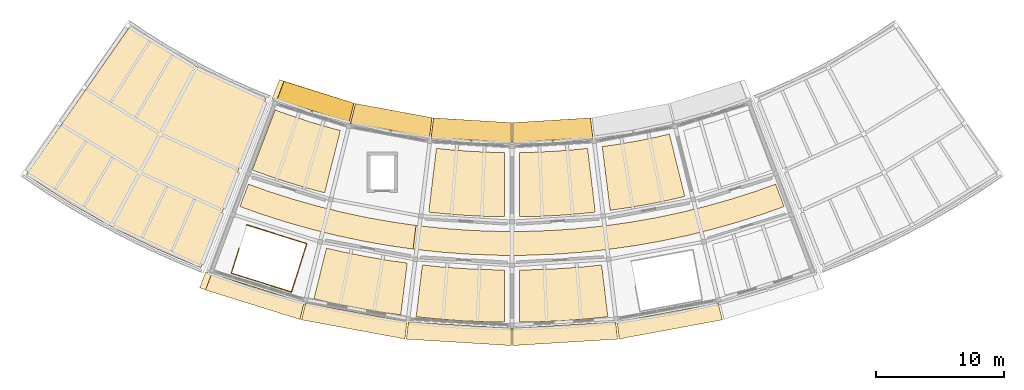
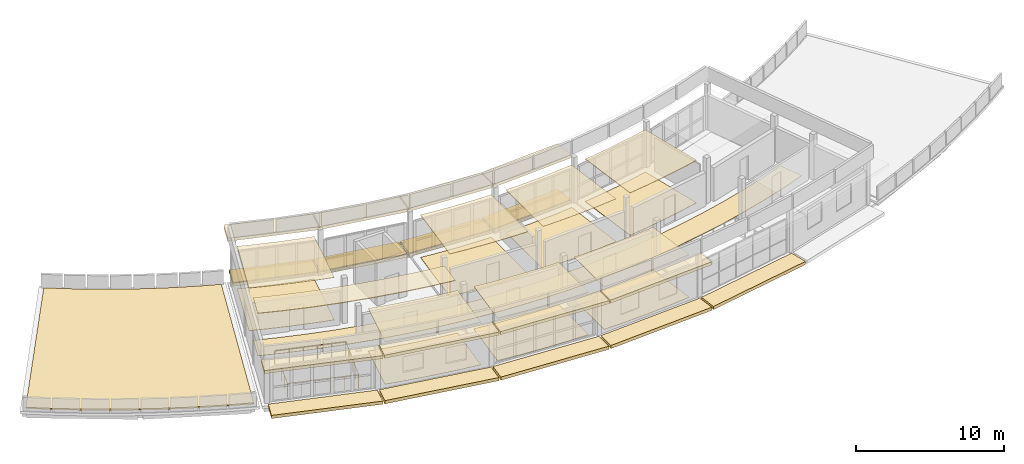
# One storey, part 11 of 12: 34 coverings, 4 shading devices, 1 railing.
"""IFC4 building model written with IfcOpenShell, lengths in metres."""

from ifc_helpers import new_model, si_unit, direction, frame, origin, origin_2d, place, context, subcontext, project, spatial, polyline, circle, outline, extrude, material, layer, layer_set, type_object, element, save


model = new_model("IFC4")

# Units and contexts
model_context = context("Model", 3, precision=1e-05, world=origin(), true_north=direction((0.0, 1.0)))
body_context = subcontext(model_context, "Body", "Model", "MODEL_VIEW")
ifc_project = project(units=[si_unit("LENGTHUNIT", "METRE"), si_unit("AREAUNIT", "SQUARE_METRE"), si_unit("VOLUMEUNIT", "CUBIC_METRE"), si_unit("PLANEANGLEUNIT", "RADIAN"), si_unit("MASSUNIT", "GRAM", prefix="KILO")], contexts=[model_context])

# Site, building, storey
site_placement = place(None, origin())
site = spatial("IfcSite", under=ifc_project, at=site_placement, CompositionType="ELEMENT")
building_placement = place(site_placement, origin())
building = spatial("IfcBuilding", under=site, at=building_placement, Name="Caldaven Crescent School", CompositionType="ELEMENT")
storey_placement = place(building_placement, frame((0.0, 0.0, 19.3798828125)))
storey = spatial("IfcBuildingStorey", under=building, at=storey_placement, Name="L05", CompositionType="ELEMENT", Elevation=19.3798828125)

# Coverings
ifc_material_1 = material(Name="White architectural GFRC precast concrete C35/45 cladding", Category="concrete")
ifc_layer_1 = layer(ifc_material_1, 0.260009765625)
ifc_layer_set_1 = layer_set([ifc_layer_1], Name="White architectural GFRC precast concrete C35/45 cladding")
covering_type_1 = type_object("IfcCoveringType", Name="COV-CLD1", PredefinedType="CLADDING", material=ifc_layer_set_1)
covering_1_placement = place(storey_placement, frame((0.0, 0.0, -0.259765625)))
element("IfcCovering", 1, at=covering_1_placement, inside=storey, type_object=covering_type_1, Name="CLD-IN-L05-093", PredefinedType="CLADDING", context=body_context, shape_type="SweptSolid", body=[
    extrude(outline(polyline([(70.241943359375, 48.618408203125), (75.707275390625, 46.915771484375), (75.318603515625, 45.36376953125), (69.680419921875, 47.120361328125), (70.241943359375, 48.618408203125)])), origin(), (0.0, 0.0, 1.0), 0.259765625),
])
covering_2_placement = place(storey_placement, frame((0.0, 0.0, -0.259765625)))
element("IfcCovering", 2, at=covering_2_placement, inside=storey, type_object=covering_type_1, Name="CLD-OUT-L05-094", PredefinedType="CLADDING", context=body_context, shape_type="SweptSolid", body=[
    extrude(outline(polyline([(64.626708984375, 33.63623046875), (71.8203125, 31.395263671875), (71.492431640625, 30.085693359375), (64.15283203125, 32.3720703125), (64.626708984375, 33.63623046875)])), origin(), (0.0, 0.0, 1.0), 0.259765625),
])
covering_3_placement = place(storey_placement, frame((0.0, 0.0, -0.259765625)))
element("IfcCovering", 3, at=covering_3_placement, inside=storey, type_object=covering_type_1, Name="CLD-IN-L05-095", PredefinedType="CLADDING", context=body_context, shape_type="SweptSolid", body=[
    extrude(outline(polyline([(75.81005859375, 46.89013671875), (81.78076171875, 45.78369140625), (81.584228515625, 44.19580078125), (75.4248046875, 45.33740234375), (75.81005859375, 46.89013671875)])), origin(), (0.0, 0.0, 1.0), 0.259765625),
])
covering_4_placement = place(storey_placement, frame((0.0, 0.0, -0.259765625)))
element("IfcCovering", 4, at=covering_4_placement, inside=storey, type_object=covering_type_1, Name="CLD-OUT-L05-096", PredefinedType="CLADDING", context=body_context, shape_type="SweptSolid", body=[
    extrude(outline(polyline([(71.95556640625, 31.361572265625), (79.814208984375, 29.905029296875), (79.6484375, 28.565185546875), (71.63037109375, 30.05126953125), (71.95556640625, 31.361572265625)])), origin(), (0.0, 0.0, 1.0), 0.259765625),
])
covering_5_placement = place(storey_placement, frame((0.0, 0.0, -0.259765625)))
element("IfcCovering", 5, at=covering_5_placement, inside=storey, type_object=covering_type_1, Name="CLD-IN-L05-097", PredefinedType="CLADDING", context=body_context, shape_type="SweptSolid", body=[
    extrude(outline(polyline([(81.885986328125, 45.770751953125), (87.947021484375, 45.400146484375), (87.9453125, 43.800048828125), (81.692626953125, 44.182373046875), (81.885986328125, 45.770751953125)])), origin(), (0.0, 0.0, 1.0), 0.259765625),
])
covering_6_placement = place(storey_placement, frame((0.0, 0.0, -0.259765625)))
element("IfcCovering", 6, at=covering_6_placement, inside=storey, type_object=covering_type_1, Name="CLD-OUT-L05-098", PredefinedType="CLADDING", context=body_context, shape_type="SweptSolid", body=[
    extrude(outline(polyline([(79.95263671875, 29.887939453125), (87.93017578125, 29.400146484375), (87.928955078125, 28.050048828125), (79.78955078125, 28.5478515625), (79.95263671875, 29.887939453125)])), origin(), (0.0, 0.0, 1.0), 0.259765625),
])
covering_7_placement = place(storey_placement, frame((0.0, 0.0, -0.259765625)))
element("IfcCovering", 7, at=covering_7_placement, inside=storey, type_object=covering_type_1, Name="CLD-IN-L05-099", PredefinedType="CLADDING", context=body_context, shape_type="SweptSolid", body=[
    extrude(outline(polyline([(88.052978515625, 45.400146484375), (94.114013671875, 45.770751953125), (94.307373046875, 44.182373046875), (88.0546875, 43.800048828125), (88.052978515625, 45.400146484375)])), origin(), (0.0, 0.0, 1.0), 0.259765625),
])
covering_8_placement = place(storey_placement, frame((0.0, 0.0, -0.259765625)))
element("IfcCovering", 8, at=covering_8_placement, inside=storey, type_object=covering_type_1, Name="CLD-OUT-L05-100", PredefinedType="CLADDING", context=body_context, shape_type="SweptSolid", body=[
    extrude(outline(polyline([(88.06982421875, 29.400146484375), (96.04736328125, 29.887939453125), (96.21044921875, 28.5478515625), (88.071044921875, 28.050048828125), (88.06982421875, 29.400146484375)])), origin(), (0.0, 0.0, 1.0), 0.259765625),
])
covering_9_placement = place(storey_placement, frame((0.0, 0.0, -0.259765625)))
element("IfcCovering", 9, at=covering_9_placement, inside=storey, type_object=covering_type_1, Name="CLD-OUT-L05-102", PredefinedType="CLADDING", context=body_context, shape_type="SweptSolid", body=[
    extrude(outline(polyline([(96.185791015625, 29.905029296875), (104.04443359375, 31.361572265625), (104.36962890625, 30.05126953125), (96.3515625, 28.565185546875), (96.185791015625, 29.905029296875)])), origin(), (0.0, 0.0, 1.0), 0.259765625),
])
covering_10_placement = place(storey_placement, frame((0.0, 0.0, 3.480224609375)))
element("IfcCovering", 10, at=covering_10_placement, inside=storey, type_object=covering_type_1, Name="CLD-IN-ROOF-105", PredefinedType="CLADDING", context=body_context, shape_type="SweptSolid", body=[
    extrude(outline(polyline([(69.8974609375, 48.7490234375), (75.7265625, 46.9111328125), (75.33837890625, 45.35888671875), (69.3251953125, 47.2548828125), (69.8974609375, 48.7490234375)])), origin(), (0.0, 0.0, 1.0), 0.260009765625),
])
covering_11_placement = place(storey_placement, frame((0.0, 0.0, 3.480224609375)))
element("IfcCovering", 11, at=covering_11_placement, inside=storey, type_object=covering_type_1, Name="CLD-OUT-ROOF-106", PredefinedType="CLADDING", context=body_context, shape_type="SweptSolid", body=[
    extrude(outline(polyline([(64.173583984375, 33.807861328125), (71.845703125, 31.388916015625), (71.51806640625, 30.0791015625), (63.6904296875, 32.54736328125), (64.173583984375, 33.807861328125)])), origin(), (0.0, 0.0, 1.0), 0.260009765625),
])
covering_12_placement = place(storey_placement, frame((0.0, 0.0, 3.480224609375)))
element("IfcCovering", 12, at=covering_12_placement, inside=storey, type_object=covering_type_1, Name="CLD-IN-ROOF-107", PredefinedType="CLADDING", context=body_context, shape_type="SweptSolid", body=[
    extrude(outline(polyline([(75.791015625, 46.89501953125), (81.800537109375, 45.78125), (81.6044921875, 44.193359375), (75.40478515625, 45.34228515625), (75.791015625, 46.89501953125)])), origin(), (0.0, 0.0, 1.0), 0.260009765625),
])
covering_13_placement = place(storey_placement, frame((0.0, 0.0, 3.480224609375)))
element("IfcCovering", 13, at=covering_13_placement, inside=storey, type_object=covering_type_1, Name="CLD-OUT-ROOF-108", PredefinedType="CLADDING", context=body_context, shape_type="SweptSolid", body=[
    extrude(outline(polyline([(71.930419921875, 31.36767578125), (79.840087890625, 29.90185546875), (79.6748046875, 28.56201171875), (71.604736328125, 30.0576171875), (71.930419921875, 31.36767578125)])), origin(), (0.0, 0.0, 1.0), 0.260009765625),
])
covering_14_placement = place(storey_placement, frame((0.0, 0.0, 3.480224609375)))
element("IfcCovering", 14, at=covering_14_placement, inside=storey, type_object=covering_type_1, Name="CLD-IN-ROOF-109", PredefinedType="CLADDING", context=body_context, shape_type="SweptSolid", body=[
    extrude(outline(polyline([(81.866455078125, 45.773193359375), (87.966796875, 45.39990234375), (87.9658203125, 43.800048828125), (81.67236328125, 44.184814453125), (81.866455078125, 45.773193359375)])), origin(), (0.0, 0.0, 1.0), 0.260009765625),
])
covering_15_placement = place(storey_placement, frame((0.0, 0.0, 3.480224609375)))
element("IfcCovering", 15, at=covering_15_placement, inside=storey, type_object=covering_type_1, Name="CLD-OUT-ROOF-110", PredefinedType="CLADDING", context=body_context, shape_type="SweptSolid", body=[
    extrude(outline(polyline([(79.9267578125, 29.89111328125), (87.956298828125, 29.39990234375), (87.955322265625, 28.050048828125), (79.76318359375, 28.551025390625), (79.9267578125, 29.89111328125)])), origin(), (0.0, 0.0, 1.0), 0.260009765625),
])
covering_16_placement = place(storey_placement, frame((0.0, 0.0, 3.480224609375)))
element("IfcCovering", 16, at=covering_16_placement, inside=storey, type_object=covering_type_1, Name="CLD-IN-ROOF-111", PredefinedType="CLADDING", context=body_context, shape_type="SweptSolid", body=[
    extrude(outline(polyline([(88.033203125, 45.39990234375), (94.133544921875, 45.773193359375), (94.32763671875, 44.184814453125), (88.0341796875, 43.800048828125), (88.033203125, 45.39990234375)])), origin(), (0.0, 0.0, 1.0), 0.260009765625),
])
covering_17_placement = place(storey_placement, frame((0.0, 0.0, 3.480224609375)))
element("IfcCovering", 17, at=covering_17_placement, inside=storey, type_object=covering_type_1, Name="CLD-OUT-ROOF-112", PredefinedType="CLADDING", context=body_context, shape_type="SweptSolid", body=[
    extrude(outline(polyline([(88.043701171875, 29.39990234375), (96.0732421875, 29.89111328125), (96.23681640625, 28.551025390625), (88.044677734375, 28.050048828125), (88.043701171875, 29.39990234375)])), origin(), (0.0, 0.0, 1.0), 0.260009765625),
])
ifc_material_2 = material(Name="Perforated Pino Radiata acoustic timber baffle ceiling", Category="wood")
ifc_layer_2 = layer(ifc_material_2, 0.030029296875)
ifc_layer_set_2 = layer_set([ifc_layer_2], Name="Perforated Pino Radiata acoustic timber baffle ceiling")
covering_type_2 = type_object("IfcCoveringType", Name="COV-CLG1", PredefinedType="CEILING", material=ifc_layer_set_2)
covering_18_placement = place(storey_placement, frame((0.0, 0.0, 3.5)))
element("IfcCovering", 18, at=covering_18_placement, inside=storey, type_object=covering_type_2, Name="CLG-L05-200", PredefinedType="CEILING", context=body_context, shape_type="SweptSolid", body=[
    extrude(outline(polyline([(70.6005859375, 46.01171875), (70.613037109375, 46.00732421875), (72.077392578125, 45.521728515625), (72.090087890625, 45.517822265625), (73.56787109375, 45.07568359375), (73.58056640625, 45.072021484375), (74.642333984375, 44.7880859375), (73.421630859375, 39.939453125), (72.21142578125, 40.26318359375), (70.580078125, 40.751220703125), (68.9638671875, 41.287109375), (67.78662109375, 41.716064453125), (69.56787109375, 46.38818359375), (70.6005859375, 46.01171875)])), origin(), (0.0, 0.0, 1.0), 0.030029296875),
])
covering_19_placement = place(storey_placement, frame((0.0, 0.0, 3.5)))
element("IfcCovering", 19, at=covering_19_placement, inside=storey, type_object=covering_type_2, Name="CLG-L05-204", PredefinedType="CEILING", context=body_context, shape_type="SweptSolid", body=[
    extrude(outline(polyline([(89.670654296875, 43.096435546875), (89.683837890625, 43.096923828125), (91.224609375, 43.16845703125), (91.23779296875, 43.169189453125), (92.776123046875, 43.285888671875), (92.789306640625, 43.287109375), (93.88232421875, 43.402587890625), (94.480224609375, 38.438720703125), (93.234375, 38.306884765625), (91.53662109375, 38.177978515625), (89.83544921875, 38.09912109375), (88.5830078125, 38.077880859375), (88.5712890625, 43.07763671875), (89.670654296875, 43.096435546875)])), origin(), (0.0, 0.0, 1.0), 0.030029296875),
])
ifc_layer_3 = layer(ifc_material_2, 0.0380859375)
ifc_layer_set_3 = layer_set([ifc_layer_3], Name="Perforated Pino Radiata acoustic timber baffle ceiling")
covering_type_3 = type_object("IfcCoveringType", Name="COV-CLG2", PredefinedType="CEILING", material=ifc_layer_set_3)
covering_20_placement = place(storey_placement, frame((0.0, 0.0, 3.4921875)))
element("IfcCovering", 20, at=covering_20_placement, inside=storey, type_object=covering_type_3, Name="CLG-L05-201", PredefinedType="CEILING", context=body_context, shape_type="SweptSolid", body=[
    extrude(outline(polyline([(74.893310546875, 35.32958984375), (74.90625, 35.326904296875), (76.68212890625, 34.970703125), (76.695068359375, 34.96826171875), (78.480712890625, 34.664306640625), (78.493896484375, 34.662353515625), (79.848388671875, 34.47265625), (79.344482421875, 30.444091796875), (77.864990234375, 30.6513671875), (75.94873046875, 30.977294921875), (74.04296875, 31.359619140625), (72.58740234375, 31.6962890625), (73.560546875, 35.637939453125), (74.893310546875, 35.32958984375)])), origin(), (0.0, 0.0, 1.0), 0.037841796875),
])
covering_21_placement = place(storey_placement, frame((0.0, 0.0, 3.4921875)))
element("IfcCovering", 21, at=covering_21_placement, inside=storey, type_object=covering_type_3, Name="CLG-L05-205", PredefinedType="CEILING", context=body_context, shape_type="SweptSolid", body=[
    extrude(outline(polyline([(89.960205078125, 33.9609375), (89.973388671875, 33.96142578125), (91.78271484375, 34.04541015625), (91.7958984375, 34.046142578125), (93.60205078125, 34.183349609375), (93.614990234375, 34.1845703125), (94.9755859375, 34.328125), (95.4609375, 30.29736328125), (93.975341796875, 30.140625), (92.037109375, 29.993408203125), (90.09521484375, 29.9033203125), (88.601806640625, 29.8779296875), (88.59228515625, 33.937744140625), (89.960205078125, 33.9609375)])), origin(), (0.0, 0.0, 1.0), 0.037841796875),
])
ifc_layer_4 = layer(ifc_material_2, 0.0458984375)
ifc_layer_set_4 = layer_set([ifc_layer_4], Name="Perforated Pino Radiata acoustic timber baffle ceiling")
covering_type_4 = type_object("IfcCoveringType", Name="COV-CLG3", PredefinedType="CEILING", material=ifc_layer_set_4)
covering_22_placement = place(storey_placement, frame((0.0, 0.0, 3.484130859375)))
element("IfcCovering", 22, at=covering_22_placement, inside=storey, type_object=covering_type_4, Name="CLG-L05-202", PredefinedType="CEILING", context=body_context, shape_type="SweptSolid", body=[
    extrude(outline(polyline([(83.210693359375, 43.287109375), (83.223876953125, 43.285888671875), (84.76220703125, 43.169189453125), (84.775390625, 43.16845703125), (86.316162109375, 43.096923828125), (86.329345703125, 43.096435546875), (87.4287109375, 43.07763671875), (87.4169921875, 38.077880859375), (86.16455078125, 38.09912109375), (84.46337890625, 38.177978515625), (82.765625, 38.306884765625), (81.519775390625, 38.438720703125), (82.11767578125, 43.402587890625), (83.210693359375, 43.287109375)])), origin(), (0.0, 0.0, 1.0), 0.0458984375),
])
covering_23_placement = place(storey_placement, frame((0.0, 0.0, 3.484130859375)))
element("IfcCovering", 23, at=covering_23_placement, inside=storey, type_object=covering_type_4, Name="CLG-L05-206", PredefinedType="CEILING", context=body_context, shape_type="SweptSolid", body=[
    extrude(outline(polyline([(96.10546875, 43.6943359375), (96.118408203125, 43.6962890625), (97.63916015625, 43.955078125), (97.652099609375, 43.95751953125), (99.164794921875, 44.260986328125), (99.177490234375, 44.263916015625), (100.24853515625, 44.511474609375), (101.447021484375, 39.657470703125), (100.2265625, 39.375), (98.556884765625, 39.0400390625), (96.878173828125, 38.75439453125), (95.637451171875, 38.58056640625), (95.016845703125, 43.5419921875), (96.10546875, 43.6943359375)])), origin(), (0.0, 0.0, 1.0), 0.0458984375),
])
ifc_layer_5 = layer(ifc_material_2, 0.053955078125)
ifc_layer_set_5 = layer_set([ifc_layer_5], Name="Perforated Pino Radiata acoustic timber baffle ceiling")
covering_type_5 = type_object("IfcCoveringType", Name="COV-CLG4", PredefinedType="CEILING", material=ifc_layer_set_5)
covering_24_placement = place(storey_placement, frame((0.0, 0.0, 3.47607421875)))
element("IfcCovering", 24, at=covering_24_placement, inside=storey, type_object=covering_type_5, Name="CLG-L05-199", PredefinedType="CEILING", context=body_context, shape_type="SweptSolid", body=[
    extrude(outline(polyline([(68.972900390625, 40.078369140625), (68.987548828125, 40.073486328125), (70.91357421875, 39.455078125), (70.928466796875, 39.45068359375), (72.87451171875, 38.8994140625), (72.889404296875, 38.8955078125), (74.853515625, 38.41162109375), (74.86865234375, 38.408203125), (76.848388671875, 37.9921875), (76.863525390625, 37.989501953125), (78.856201171875, 37.64208984375), (78.87158203125, 37.6396484375), (80.52978515625, 37.4091796875), (80.30224609375, 35.5634765625), (78.576416015625, 35.80322265625), (76.5048828125, 36.164306640625), (74.447509765625, 36.596435546875), (72.406005859375, 37.099365234375), (70.383056640625, 37.67236328125), (68.381103515625, 38.31494140625), (66.826171875, 38.8740234375), (67.4853515625, 40.613037109375), (68.972900390625, 40.078369140625)])), origin(), (0.0, 0.0, 1.0), 0.053955078125),
])
covering_25_placement = place(storey_placement, frame((0.0, 0.0, 3.47607421875)))
element("IfcCovering", 25, at=covering_25_placement, inside=storey, type_object=covering_type_5, Name="CLG-L05-203", PredefinedType="CEILING", context=body_context, shape_type="SweptSolid", body=[
    extrude(outline(polyline([(82.385009765625, 34.1845703125), (82.39794921875, 34.183349609375), (84.2041015625, 34.046142578125), (84.21728515625, 34.04541015625), (86.026611328125, 33.96142578125), (86.039794921875, 33.9609375), (87.40771484375, 33.937744140625), (87.398193359375, 29.8779296875), (85.90478515625, 29.9033203125), (83.962890625, 29.993408203125), (82.024658203125, 30.140625), (80.5390625, 30.29736328125), (81.0244140625, 34.328125), (82.385009765625, 34.1845703125)])), origin(), (0.0, 0.0, 1.0), 0.053955078125),
])
ifc_material_3 = material(Name="Polished terrazzo and acoustic linoleum flooring")
ifc_layer_6 = layer(ifc_material_3, 0.02001953125)
ifc_layer_set_6 = layer_set([ifc_layer_6], Name="Polished terrazzo and acoustic linoleum flooring")
covering_type_6 = type_object("IfcCoveringType", Name="COV-FLR1", PredefinedType="FLOORING", material=ifc_layer_set_6)
covering_26_placement = place(storey_placement, origin())
element("IfcCovering", 26, at=covering_26_placement, inside=storey, type_object=covering_type_6, Name="FLR-L05-201", PredefinedType="FLOORING", context=body_context, shape_type="SweptSolid", body=[
    extrude(outline(polyline([(73.560546875, 35.637939453125), (74.893310546875, 35.32958984375), (74.90625, 35.326904296875), (76.68212890625, 34.970703125), (76.695068359375, 34.96826171875), (78.480712890625, 34.664306640625), (78.493896484375, 34.662353515625), (79.848388671875, 34.47265625), (79.344482421875, 30.444091796875), (77.864990234375, 30.6513671875), (75.94873046875, 30.977294921875), (74.04296875, 31.359619140625), (72.58740234375, 31.6962890625), (73.560546875, 35.637939453125)])), origin(), (0.0, 0.0, 1.0), 0.02001953125),
])
covering_27_placement = place(storey_placement, origin())
element("IfcCovering", 27, at=covering_27_placement, inside=storey, type_object=covering_type_6, Name="FLR-L05-204", PredefinedType="FLOORING", context=body_context, shape_type="SweptSolid", body=[
    extrude(outline(polyline([(88.5712890625, 43.07763671875), (89.670654296875, 43.096435546875), (89.683837890625, 43.096923828125), (91.224609375, 43.16845703125), (91.23779296875, 43.169189453125), (92.776123046875, 43.285888671875), (92.789306640625, 43.287109375), (93.88232421875, 43.402587890625), (94.480224609375, 38.438720703125), (93.234375, 38.306884765625), (91.53662109375, 38.177978515625), (89.83544921875, 38.09912109375), (88.5830078125, 38.077880859375), (88.5712890625, 43.07763671875)])), origin(), (0.0, 0.0, 1.0), 0.02001953125),
])
ifc_layer_7 = layer(ifc_material_3, 0.02587890625)
ifc_layer_set_7 = layer_set([ifc_layer_7], Name="Polished terrazzo and acoustic linoleum flooring")
covering_type_7 = type_object("IfcCoveringType", Name="COV-FLR2", PredefinedType="FLOORING", material=ifc_layer_set_7)
covering_28_placement = place(storey_placement, origin())
element("IfcCovering", 28, at=covering_28_placement, inside=storey, type_object=covering_type_7, Name="FLR-L05-199", PredefinedType="FLOORING", context=body_context, shape_type="SweptSolid", body=[
    extrude(outline(polyline([(67.4853515625, 40.613037109375), (68.972900390625, 40.078369140625), (68.987548828125, 40.073486328125), (70.91357421875, 39.455078125), (70.928466796875, 39.45068359375), (72.87451171875, 38.8994140625), (72.889404296875, 38.8955078125), (74.853515625, 38.41162109375), (74.86865234375, 38.408203125), (76.848388671875, 37.9921875), (76.863525390625, 37.989501953125), (78.856201171875, 37.64208984375), (78.87158203125, 37.6396484375), (80.875244140625, 37.361328125), (80.890625, 37.359375), (82.902587890625, 37.150390625), (82.918212890625, 37.149169921875), (84.93603515625, 37.009521484375), (84.951416015625, 37.0087890625), (86.97314453125, 36.93896484375), (86.988525390625, 36.938720703125), (89.011474609375, 36.938720703125), (89.02685546875, 36.93896484375), (91.048583984375, 37.0087890625), (91.06396484375, 37.009521484375), (93.081787109375, 37.149169921875), (93.097412109375, 37.150390625), (95.109375, 37.359375), (95.124755859375, 37.361328125), (97.12841796875, 37.6396484375), (97.143798828125, 37.64208984375), (99.136474609375, 37.989501953125), (99.151611328125, 37.9921875), (101.13134765625, 38.408203125), (101.146484375, 38.41162109375), (103.110595703125, 38.8955078125), (103.12548828125, 38.8994140625), (105.071533203125, 39.45068359375), (105.08642578125, 39.455078125), (107.012451171875, 40.073486328125), (107.027099609375, 40.078369140625), (108.5146484375, 40.613037109375), (109.173828125, 38.8740234375), (107.618896484375, 38.31494140625), (105.616943359375, 37.67236328125), (103.593994140625, 37.099365234375), (101.552490234375, 36.596435546875), (99.4951171875, 36.164306640625), (97.423583984375, 35.80322265625), (95.34130859375, 35.513916015625), (93.25, 35.296630859375), (91.152587890625, 35.151611328125), (89.05126953125, 35.0791015625), (86.94873046875, 35.0791015625), (84.847412109375, 35.151611328125), (82.75, 35.296630859375), (80.65869140625, 35.513916015625), (78.576416015625, 35.80322265625), (76.5048828125, 36.164306640625), (74.447509765625, 36.596435546875), (72.406005859375, 37.099365234375), (70.383056640625, 37.67236328125), (68.381103515625, 38.31494140625), (66.826171875, 38.8740234375), (67.4853515625, 40.613037109375)])), origin(), (0.0, 0.0, 1.0), 0.026123046875),
])
covering_29_placement = place(storey_placement, origin())
element("IfcCovering", 29, at=covering_29_placement, inside=storey, type_object=covering_type_7, Name="FLR-L05-202", PredefinedType="FLOORING", context=body_context, shape_type="SweptSolid", body=[
    extrude(outline(polyline([(82.11767578125, 43.402587890625), (83.210693359375, 43.287109375), (83.223876953125, 43.285888671875), (84.76220703125, 43.169189453125), (84.775390625, 43.16845703125), (86.316162109375, 43.096923828125), (86.329345703125, 43.096435546875), (87.4287109375, 43.07763671875), (87.4169921875, 38.077880859375), (86.16455078125, 38.09912109375), (84.46337890625, 38.177978515625), (82.765625, 38.306884765625), (81.519775390625, 38.438720703125), (82.11767578125, 43.402587890625)])), origin(), (0.0, 0.0, 1.0), 0.026123046875),
])
covering_30_placement = place(storey_placement, origin())
element("IfcCovering", 30, at=covering_30_placement, inside=storey, type_object=covering_type_7, Name="FLR-L05-205", PredefinedType="FLOORING", context=body_context, shape_type="SweptSolid", body=[
    extrude(outline(polyline([(88.59228515625, 33.937744140625), (89.960205078125, 33.9609375), (89.973388671875, 33.96142578125), (91.78271484375, 34.04541015625), (91.7958984375, 34.046142578125), (93.60205078125, 34.183349609375), (93.614990234375, 34.1845703125), (94.9755859375, 34.328125), (95.4609375, 30.29736328125), (93.975341796875, 30.140625), (92.037109375, 29.993408203125), (90.09521484375, 29.9033203125), (88.601806640625, 29.8779296875), (88.59228515625, 33.937744140625)])), origin(), (0.0, 0.0, 1.0), 0.026123046875),
])
ifc_layer_8 = layer(ifc_material_3, 0.031982421875)
ifc_layer_set_8 = layer_set([ifc_layer_8], Name="Polished terrazzo and acoustic linoleum flooring")
covering_type_8 = type_object("IfcCoveringType", Name="COV-FLR3", PredefinedType="FLOORING", material=ifc_layer_set_8)
covering_31_placement = place(storey_placement, origin())
element("IfcCovering", 31, at=covering_31_placement, inside=storey, type_object=covering_type_8, Name="FLR-L05-200", PredefinedType="FLOORING", context=body_context, shape_type="SweptSolid", body=[
    extrude(outline(polyline([(69.56787109375, 46.38818359375), (70.6005859375, 46.01171875), (70.613037109375, 46.00732421875), (72.077392578125, 45.521728515625), (72.090087890625, 45.517822265625), (73.56787109375, 45.07568359375), (73.58056640625, 45.072021484375), (74.642333984375, 44.7880859375), (73.421630859375, 39.939453125), (72.21142578125, 40.26318359375), (70.580078125, 40.751220703125), (68.9638671875, 41.287109375), (67.78662109375, 41.716064453125), (69.56787109375, 46.38818359375)])), origin(), (0.0, 0.0, 1.0), 0.0322265625),
])
covering_32_placement = place(storey_placement, origin())
element("IfcCovering", 32, at=covering_32_placement, inside=storey, type_object=covering_type_8, Name="FLR-L05-203", PredefinedType="FLOORING", context=body_context, shape_type="SweptSolid", body=[
    extrude(outline(polyline([(81.0244140625, 34.328125), (82.385009765625, 34.1845703125), (82.39794921875, 34.183349609375), (84.2041015625, 34.046142578125), (84.21728515625, 34.04541015625), (86.026611328125, 33.96142578125), (86.039794921875, 33.9609375), (87.40771484375, 33.937744140625), (87.398193359375, 29.8779296875), (85.90478515625, 29.9033203125), (83.962890625, 29.993408203125), (82.024658203125, 30.140625), (80.5390625, 30.29736328125), (81.0244140625, 34.328125)])), origin(), (0.0, 0.0, 1.0), 0.0322265625),
])
covering_33_placement = place(storey_placement, origin())
element("IfcCovering", 33, at=covering_33_placement, inside=storey, type_object=covering_type_8, Name="FLR-L05-206", PredefinedType="FLOORING", context=body_context, shape_type="SweptSolid", body=[
    extrude(outline(polyline([(95.016845703125, 43.5419921875), (96.10546875, 43.6943359375), (96.118408203125, 43.6962890625), (97.63916015625, 43.955078125), (97.652099609375, 43.95751953125), (99.164794921875, 44.260986328125), (99.177490234375, 44.263916015625), (100.24853515625, 44.511474609375), (101.447021484375, 39.657470703125), (100.2265625, 39.375), (98.556884765625, 39.0400390625), (96.878173828125, 38.75439453125), (95.637451171875, 38.58056640625), (95.016845703125, 43.5419921875)])), origin(), (0.0, 0.0, 1.0), 0.0322265625),
])
ifc_material_4 = material(Name="Waterproof EPDM membrane and planted roof build-up")
ifc_layer_9 = layer(ifc_material_4, 0.10791015625)
ifc_layer_set_9 = layer_set([ifc_layer_9], Name="Waterproof EPDM membrane and planted roof build-up")
covering_type_9 = type_object("IfcCoveringType", Name="COV-RFG4", PredefinedType="ROOFING", material=ifc_layer_set_9)
covering_34_placement = place(storey_placement, origin())
element("IfcCovering", 34, at=covering_34_placement, inside=storey, type_object=covering_type_9, Name="RFG-L05-04", PredefinedType="ROOFING", context=body_context, shape_type="SweptSolid", body=[
    extrude(outline(polyline([(50.202880859375, 41.35302734375), (58.28466796875, 52.906982421875), (59.493896484375, 52.091796875), (59.504150390625, 52.085205078125), (61.03271484375, 51.130615234375), (61.04296875, 51.124267578125), (62.603759765625, 50.222900390625), (62.6142578125, 50.217041015625), (64.205322265625, 49.370361328125), (64.216064453125, 49.36474609375), (65.83544921875, 48.57373046875), (65.846435546875, 48.568603515625), (67.4921875, 47.833984375), (67.50341796875, 47.829345703125), (68.85498046875, 47.281494140625), (63.785888671875, 34.12451171875), (61.975830078125, 34.858154296875), (59.87255859375, 35.796630859375), (57.80322265625, 36.8076171875), (55.77001953125, 37.889404296875), (53.775634765625, 39.041259765625), (51.822509765625, 40.261474609375), (50.202880859375, 41.35302734375)])), origin(), (0.0, 0.0, 1.0), 0.108154296875),
])

# Railing
ifc_material_5 = material(Name="Powder-coated tubular steel balustrade ASTM A572 Grade 50", Category="steel")
railing_type = type_object("IfcRailingType", Name="RAL-INT3", PredefinedType="BALUSTRADE", material=ifc_material_5)
railing_placement = place(storey_placement, frame((66.759765625, 35.59130859375, 0.0)))
element("IfcRailing", 35, at=railing_placement, inside=storey, type_object=railing_type, Name="GD-WELL-ST2-L05", PredefinedType="BALUSTRADE", context=body_context, shape_type="SweptSolid", body=[
    extrude(circle(Radius=0.02392578125, at=origin_2d()), frame((0.0, 0.0, 1.1259765625), z_axis=(-0.30080256489, -0.953686435342, 0.0), x_axis=(0.953686435342, -0.30080256489, 0.0)), (0.0, 0.0, 1.0), 1.990234375),
    extrude(circle(Radius=0.02392578125, at=origin_2d()), frame((-0.5986328125, -1.89794921875, 1.1259765625), z_axis=(0.953716548074, -0.30070707662, 0.0), x_axis=(0.30070707662, 0.953716548074, 0.0)), (0.0, 0.0, 1.0), 4.902099609375),
    extrude(circle(Radius=0.02392578125, at=origin_2d()), frame((4.07666015625, -3.3720703125, 1.1259765625), z_axis=(0.300719120194, 0.953712750649, 0.0), x_axis=(-0.953712750649, 0.300719120194, 0.0)), (0.0, 0.0, 1.0), 3.93994140625),
    extrude(circle(Radius=0.02392578125, at=origin_2d()), frame((5.261474609375, 0.385498046875, 1.1259765625), z_axis=(-0.953716548074, 0.30070707662, 0.0), x_axis=(-0.30070707662, -0.953716548074, 0.0)), (0.0, 0.0, 1.0), 4.902099609375),
    extrude(circle(Radius=0.02099609375, at=origin_2d()), origin(), (0.0, 0.0, 1.0), 1.101806640625),
    extrude(circle(Radius=0.02099609375, at=origin_2d()), frame((-0.29931640625, -0.948974609375, 0.0)), (0.0, 0.0, 1.0), 1.101806640625),
    extrude(circle(Radius=0.02099609375, at=origin_2d()), frame((-0.5986328125, -1.89794921875, 0.0)), (0.0, 0.0, 1.0), 1.101806640625),
    extrude(circle(Radius=0.02099609375, at=origin_2d()), frame((0.33642578125, -2.19287109375, 0.0)), (0.0, 0.0, 1.0), 1.101806640625),
    extrude(circle(Radius=0.02099609375, at=origin_2d()), frame((1.271484375, -2.487548828125, 0.0)), (0.0, 0.0, 1.0), 1.101806640625),
    extrude(circle(Radius=0.02099609375, at=origin_2d()), frame((2.20654296875, -2.782470703125, 0.0)), (0.0, 0.0, 1.0), 1.101806640625),
    extrude(circle(Radius=0.02099609375, at=origin_2d()), frame((3.1416015625, -3.0771484375, 0.0)), (0.0, 0.0, 1.0), 1.101806640625),
    extrude(circle(Radius=0.02099609375, at=origin_2d()), frame((4.07666015625, -3.3720703125, 0.0)), (0.0, 0.0, 1.0), 1.101806640625),
    extrude(circle(Radius=0.02099609375, at=origin_2d()), frame((4.372802734375, -2.4326171875, 0.0)), (0.0, 0.0, 1.0), 1.101806640625),
    extrude(circle(Radius=0.02099609375, at=origin_2d()), frame((4.6689453125, -1.4931640625, 0.0)), (0.0, 0.0, 1.0), 1.101806640625),
    extrude(circle(Radius=0.02099609375, at=origin_2d()), frame((4.96533203125, -0.553955078125, 0.0)), (0.0, 0.0, 1.0), 1.101806640625),
    extrude(circle(Radius=0.02099609375, at=origin_2d()), frame((5.261474609375, 0.385498046875, 0.0)), (0.0, 0.0, 1.0), 1.101806640625),
    extrude(circle(Radius=0.02099609375, at=origin_2d()), frame((4.326416015625, 0.680419921875, 0.0)), (0.0, 0.0, 1.0), 1.101806640625),
    extrude(circle(Radius=0.02099609375, at=origin_2d()), frame((3.391357421875, 0.97509765625, 0.0)), (0.0, 0.0, 1.0), 1.101806640625),
    extrude(circle(Radius=0.02099609375, at=origin_2d()), frame((2.456298828125, 1.27001953125, 0.0)), (0.0, 0.0, 1.0), 1.101806640625),
    extrude(circle(Radius=0.02099609375, at=origin_2d()), frame((1.521240234375, 1.564697265625, 0.0)), (0.0, 0.0, 1.0), 1.101806640625),
    extrude(circle(Radius=0.02099609375, at=origin_2d()), frame((0.586181640625, 1.859619140625, 0.0)), (0.0, 0.0, 1.0), 1.101806640625),
])

# Shading devices
ifc_material_6 = material(Name="Precast concrete C35/45", Category="concrete")
ifc_layer_10 = layer(ifc_material_6, 0.139892578125)
ifc_layer_set_10 = layer_set([ifc_layer_10], Name="Precast concrete C35/45")
shading_device_type = type_object("IfcShadingDeviceType", Name="SHD-S01", PredefinedType="AWNING", material=ifc_layer_set_10)
shading_device_1_placement = place(storey_placement, frame((0.0, 0.0, -0.139892578125)))
element("IfcShadingDevice", 36, at=shading_device_1_placement, inside=storey, type_object=shading_device_type, Name="SHD-LDG-L05-071", PredefinedType="AWNING", context=body_context, shape_type="SweptSolid", body=[
    extrude(outline(polyline([(70.25830078125, 48.6123046875), (75.690185546875, 46.920166015625), (75.3203125, 45.44580078125), (69.7255859375, 47.188720703125), (70.25830078125, 48.6123046875)])), origin(), (0.0, 0.0, 1.0), 0.139892578125),
])
shading_device_2_placement = place(storey_placement, frame((0.0, 0.0, -0.139892578125)))
element("IfcShadingDevice", 37, at=shading_device_2_placement, inside=storey, type_object=shading_device_type, Name="SHD-LDG-L05-072", PredefinedType="AWNING", context=body_context, shape_type="SweptSolid", body=[
    extrude(outline(polyline([(75.827392578125, 46.885986328125), (81.76318359375, 45.785888671875), (81.575927734375, 44.27734375), (75.461669921875, 45.41064453125), (75.827392578125, 46.885986328125)])), origin(), (0.0, 0.0, 1.0), 0.139892578125),
])
shading_device_3_placement = place(storey_placement, frame((0.0, 0.0, -0.139892578125)))
element("IfcShadingDevice", 38, at=shading_device_3_placement, inside=storey, type_object=shading_device_type, Name="SHD-LDG-L05-073", PredefinedType="AWNING", context=body_context, shape_type="SweptSolid", body=[
    extrude(outline(polyline([(81.903564453125, 45.7685546875), (87.929443359375, 45.400146484375), (87.92724609375, 43.880126953125), (81.720458984375, 44.259765625), (81.903564453125, 45.7685546875)])), origin(), (0.0, 0.0, 1.0), 0.139892578125),
])
shading_device_4_placement = place(storey_placement, frame((0.0, 0.0, -0.139892578125)))
element("IfcShadingDevice", 39, at=shading_device_4_placement, inside=storey, type_object=shading_device_type, Name="SHD-LDG-L05-074", PredefinedType="AWNING", context=body_context, shape_type="SweptSolid", body=[
    extrude(outline(polyline([(88.070556640625, 45.400146484375), (94.096435546875, 45.7685546875), (94.279541015625, 44.259765625), (88.07275390625, 43.880126953125), (88.070556640625, 45.400146484375)])), origin(), (0.0, 0.0, 1.0), 0.139892578125),
])

save(model, "model.ifc")
